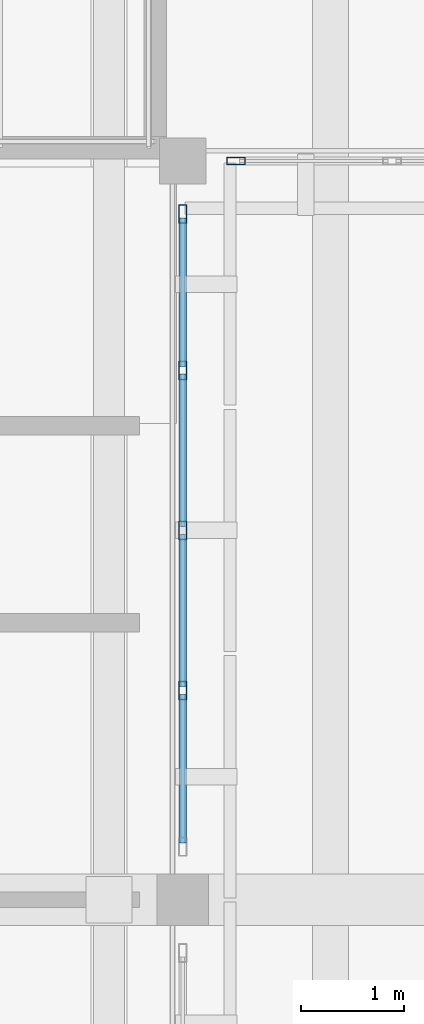
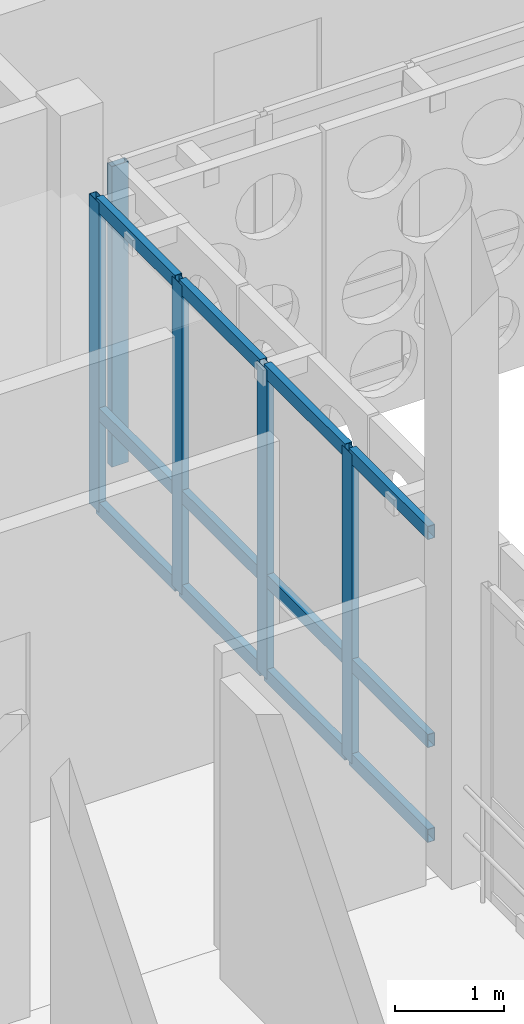
# One storey, part 25 of 171: 17 members, 2 elements without a shape of their own.
"""IFC4 building model written with IfcOpenShell, lengths in metres."""

import ifcopenshell
import ifcopenshell.guid

model = None  # the IFC model being written
_history = None  # IfcOwnerHistory: only IFC2X3 demands one
_inside = {}  # id of a spatial element -> (the spatial element, [elements in it])
_under = {}  # id of a project, library or spatial element -> (it, [spatial elements below it])
_declared = {}  # id of a project -> (the project, [libraries it declares])
_typed = {}  # id of a type object -> (the type object, [elements of that type])
_made_of = {}  # id of a material, layer set ... -> (it, [elements and type objects made of it])


def new_model(schema):
    """Start an empty IFC model of exactly this schema.

    Asked for "IFC4X3", IfcOpenShell would pick the latest addendum, in which some entities
    have other attributes; the version numbers below select the first issue.
    IFC2X3 requires an IfcOwnerHistory on every rooted entity: one is made here for all.
    """
    global model, _history
    if schema == "IFC4X3":
        model = ifcopenshell.file(schema_version=(4, 3, 0, 0))
    else:
        model = ifcopenshell.file(schema=schema)
    _inside.clear()
    _under.clear()
    _declared.clear()
    _typed.clear()
    _made_of.clear()
    _history = None
    if model.schema == "IFC2X3":
        org = make("IfcOrganization", Name="unknown")
        user = make(
            "IfcPersonAndOrganization",
            ThePerson=make("IfcPerson", FamilyName="unknown"),
            TheOrganization=org,
        )
        app = make(
            "IfcApplication",
            ApplicationDeveloper=org,
            Version="unknown",
            ApplicationFullName="unknown",
            ApplicationIdentifier="unknown",
        )
        _history = make(
            "IfcOwnerHistory",
            OwningUser=user,
            OwningApplication=app,
            ChangeAction="ADDED",
            CreationDate=0,
        )
    return model


def make(cls, **values):
    """One entity of the class cls with the attributes given. An attribute that is None is left unset."""
    return model.create_entity(
        cls, **{name: value for name, value in values.items() if value is not None}
    )


def rooted(cls, **values):
    """An entity with a GlobalId (a new one), such as an element, a storey or a relation."""
    return make(cls, GlobalId=ifcopenshell.guid.new(), OwnerHistory=_history, **values)


def si_unit(unit_type, name, prefix=None):
    """IfcSIUnit, for example si_unit("LENGTHUNIT", "METRE", prefix="MILLI")."""
    return make("IfcSIUnit", UnitType=unit_type, Prefix=prefix, Name=name)


def assignment(units):
    """IfcUnitAssignment: the units of a project."""
    return None if units is None else make("IfcUnitAssignment", Units=units)


def point(xyz):
    """IfcCartesianPoint."""
    return None if xyz is None else make("IfcCartesianPoint", Coordinates=xyz)


def direction(xyz):
    """IfcDirection."""
    return None if xyz is None else make("IfcDirection", DirectionRatios=xyz)


def frame(location, z_axis=None, x_axis=None):
    """IfcAxis2Placement3D, a coordinate frame: its origin and axes. An axis left out is left unset."""
    return make(
        "IfcAxis2Placement3D",
        Location=point(location),
        Axis=direction(z_axis),
        RefDirection=direction(x_axis),
    )


def frame_2d(location, x_axis=None):
    """IfcAxis2Placement2D, a coordinate frame in the plane: its origin and x axis."""
    return make(
        "IfcAxis2Placement2D", Location=point(location), RefDirection=direction(x_axis)
    )


def origin():
    """The frame at (0, 0, 0) with its axes left unset."""
    return frame((0.0, 0.0, 0.0))


def origin_2d():
    """The frame at (0, 0) in the plane with its x axis left unset."""
    return frame_2d((0.0, 0.0))


def place(relative_to, where):
    """IfcLocalPlacement: puts the frame where relative to a parent placement (None: the world)."""
    return make(
        "IfcLocalPlacement", PlacementRelTo=relative_to, RelativePlacement=where
    )


def context(
    kind, dimensions, precision=None, world=None, true_north=None, identifier=None
):
    """IfcGeometricRepresentationContext, for example the 3D "Model" context."""
    return make(
        "IfcGeometricRepresentationContext",
        ContextIdentifier=identifier,
        ContextType=kind,
        CoordinateSpaceDimension=dimensions,
        Precision=precision,
        WorldCoordinateSystem=world,
        TrueNorth=true_north,
    )


def subcontext(parent, identifier, kind, view, scale=None):
    """IfcGeometricRepresentationSubContext, for example "Body" below "Model"."""
    return make(
        "IfcGeometricRepresentationSubContext",
        ContextIdentifier=identifier,
        ContextType=kind,
        ParentContext=parent,
        TargetScale=scale,
        TargetView=view,
    )


def project(units=None, contexts=None):
    """IfcProject with its units and contexts."""
    return rooted(
        "IfcProject",
        Name="project",
        RepresentationContexts=contexts,
        UnitsInContext=assignment(units),
    )


def spatial(cls, under=None, at=None, **own):
    """A site, building, storey or space (cls), placed at a placement, below another one or the project."""
    s = rooted(cls, ObjectPlacement=at, **own)
    if under is not None:
        _under.setdefault(under.id(), (under, []))[1].append(s)
    return s


def profile(cls, at=None, kind="AREA", **sizes):
    """A parametric profile (cls). Its sizes go by their IFC names, for example OverallWidth=200.0."""
    return make(cls, ProfileType=kind, Position=at, **sizes)


def hollow_rectangle(**sizes):
    """IfcRectangleHollowProfileDef."""
    return profile("IfcRectangleHollowProfileDef", **sizes)


def extrude(swept, where, along, depth):
    """IfcExtrudedAreaSolid: the profile swept, set in the frame where, extruded along a direction by depth."""
    return make(
        "IfcExtrudedAreaSolid",
        SweptArea=swept,
        Position=where,
        ExtrudedDirection=direction(along),
        Depth=depth,
    )


def shape(context_of_items, identifier, shape_type, items):
    """IfcShapeRepresentation: the items that make up one representation, for example the "Body"."""
    return make(
        "IfcShapeRepresentation",
        ContextOfItems=context_of_items,
        RepresentationIdentifier=identifier,
        RepresentationType=shape_type,
        Items=items,
    )


def material(Name=None, Category=None):
    """IfcMaterial."""
    return make("IfcMaterial", Name=Name, Category=Category)


def material_profile(
    of_material, cross_section, Name=None, Category=None, Priority=None
):
    """IfcMaterialProfile: a cross section and its material."""
    return make(
        "IfcMaterialProfile",
        Name=Name,
        Material=of_material,
        Profile=cross_section,
        Priority=Priority,
        Category=Category,
    )


def profile_set(profiles, Name=None, composite=None):
    """IfcMaterialProfileSet."""
    return make(
        "IfcMaterialProfileSet",
        Name=Name,
        MaterialProfiles=profiles,
        CompositeProfile=composite,
    )


def made_of(thing, what):
    """Note that an element or type object is made of a material, layer set ...; save() writes the relation."""
    if what is not None:
        _made_of.setdefault(what.id(), (what, []))[1].append(thing)
    return thing


def type_object(cls, material=None, **own):
    """A type object (cls), such as IfcWallType, which elements share."""
    return made_of(rooted(cls, **own), material)


def element(
    cls,
    number,
    at=None,
    inside=None,
    cuts=None,
    type_object=None,
    material=None,
    context=None,
    identifier="Body",
    shape_type=None,
    held_by="IfcProductDefinitionShape",
    body=None,
    shapes=None,
    **own,
):
    """One element of the class cls, such as IfcWall. Its Tag is "e" and its number.

    at: its placement. inside: the storey or other place that contains it. cuts: it is an
    opening in that element (IfcRelVoidsElement). A single representation is given by context,
    identifier, shape_type and body (its items); several are given by shapes. held_by: the class
    of the entity that holds the representations. save() writes the other relations.
    """
    e = rooted(cls, Tag="e%d" % number, ObjectPlacement=at, **own)
    if body is not None:
        shapes = [shape(context, identifier, shape_type, body)]
    if shapes is not None:
        e.Representation = make(held_by, Representations=shapes)
    if inside is not None:
        _inside.setdefault(inside.id(), (inside, []))[1].append(e)
    if cuts is not None:
        rooted(
            "IfcRelVoidsElement", RelatingBuildingElement=cuts, RelatedOpeningElement=e
        )
    if type_object is not None:
        _typed.setdefault(type_object.id(), (type_object, []))[1].append(e)
    return made_of(e, material)


def aggregate(whole, parts):
    """IfcRelAggregates: a whole, such as a stair, and the parts it consists of."""
    return rooted("IfcRelAggregates", RelatingObject=whole, RelatedObjects=parts)


def save(model, path):
    """Write the relations noted so far, then the file.

    IfcRelAggregates (storeys below a building ...), IfcRelContainedInSpatialStructure (elements
    in a storey), IfcRelDefinesByType, IfcRelAssociatesMaterial and IfcRelDeclares: one each for
    every whole, place, type object, material and project.
    """
    for whole, parts in _under.values():
        aggregate(whole, parts)
    for where, things in _inside.values():
        rooted(
            "IfcRelContainedInSpatialStructure",
            RelatedElements=things,
            RelatingStructure=where,
        )
    for kind, things in _typed.values():
        rooted("IfcRelDefinesByType", RelatedObjects=things, RelatingType=kind)
    for what, things in _made_of.values():
        rooted("IfcRelAssociatesMaterial", RelatedObjects=things, RelatingMaterial=what)
    for by, libraries in _declared.values():
        rooted("IfcRelDeclares", RelatingContext=by, RelatedDefinitions=libraries)
    model.write(path)


model = new_model("IFC4")

# Units and contexts
model_context = context("Model", 3, precision=1e-05, world=origin(), true_north=direction((0.0, 1.0)))
body_context = subcontext(model_context, "Body", "Model", "MODEL_VIEW")
ifc_project = project(units=[si_unit("LENGTHUNIT", "METRE"), si_unit("AREAUNIT", "SQUARE_METRE"), si_unit("VOLUMEUNIT", "CUBIC_METRE"), si_unit("PLANEANGLEUNIT", "RADIAN"), si_unit("MASSUNIT", "GRAM", prefix="KILO")], contexts=[model_context])

# Site, building, storey
site_placement = place(None, origin())
site = spatial("IfcSite", under=ifc_project, at=site_placement, CompositionType="ELEMENT")
building_placement = place(site_placement, origin())
building = spatial("IfcBuilding", under=site, at=building_placement, Name="Aldebral Square Health Centre", CompositionType="ELEMENT")
storey_placement = place(building_placement, frame((0.0, 0.0, 4.5)))
storey = spatial("IfcBuildingStorey", under=building, at=storey_placement, Name="L01", CompositionType="ELEMENT", Elevation=4.5)

# Curtain wall, members
ifc_material_1 = material(Name="Aluminium and low-E solar glass", Category="aluminium")
curtain_wall_type = type_object("IfcCurtainWallType", Name="CW-HALL-SYS", PredefinedType="USERDEFINED", material=ifc_material_1)
curtain_wall_1_placement = place(storey_placement, origin())
curtain_wall_1 = element("IfcCurtainWall", 1, at=curtain_wall_1_placement, inside=storey, type_object=curtain_wall_type, Name="L01 V1 hall curtain wall L01-V1-09-12-E", ObjectType="HALL_CURTAIN_WALL", PredefinedType="USERDEFINED")
ifc_material_2 = material(Name="Anodised aluminium mullion", Category="aluminium")
ifc_material_profile_1 = material_profile(ifc_material_2, hollow_rectangle(XDim=0.074951171875, YDim=0.179931640625, WallThickness=0.00390625, at=origin_2d()), Name="CWM 75x180x4")
ifc_profile_set_1 = profile_set([ifc_material_profile_1], Name="Anodised aluminium mullion")
member_type_1 = type_object("IfcMemberType", Name="CWM-STD", PredefinedType="MULLION", material=ifc_profile_set_1)
member_1_placement = place(storey_placement, frame((72.0, 88.43994140625, 0.0), z_axis=(0.0, 0.0, 1.0), x_axis=(-1.0, 0.0, 0.0)))
member_1 = element("IfcMember", 2, at=member_1_placement, type_object=member_type_1, Name="CW2 mullion 2", PredefinedType="MULLION", context=body_context, shape_type="SweptSolid", body=[
    extrude(hollow_rectangle(XDim=0.074951171875, YDim=0.179931640625, WallThickness=0.00390625, at=origin_2d()), origin(), (0.0, 0.0, 1.0), 3.469970703125),
])
member_2_placement = place(storey_placement, frame((72.0, 90.0, 0.0), z_axis=(0.0, 0.0, 1.0), x_axis=(-1.0, 0.0, 0.0)))
member_2 = element("IfcMember", 3, at=member_2_placement, type_object=member_type_1, Name="CW2 mullion 3", PredefinedType="MULLION", context=body_context, shape_type="SweptSolid", body=[
    extrude(hollow_rectangle(XDim=0.074951171875, YDim=0.179931640625, WallThickness=0.00390625, at=origin_2d()), origin(), (0.0, 0.0, 1.0), 3.469970703125),
])
member_3_placement = place(storey_placement, frame((72.0, 91.56005859375, 0.0), z_axis=(0.0, 0.0, 1.0), x_axis=(-1.0, 0.0, 0.0)))
member_3 = element("IfcMember", 4, at=member_3_placement, type_object=member_type_1, Name="CW2 mullion 4", PredefinedType="MULLION", context=body_context, shape_type="SweptSolid", body=[
    extrude(hollow_rectangle(XDim=0.074951171875, YDim=0.179931640625, WallThickness=0.00390625, at=origin_2d()), origin(), (0.0, 0.0, 1.0), 3.469970703125),
])
member_4_placement = place(storey_placement, frame((72.0, 93.08251953125, 0.0), z_axis=(0.0, 0.0, 1.0), x_axis=(-1.0, 0.0, 0.0)))
member_4 = element("IfcMember", 5, at=member_4_placement, type_object=member_type_1, Name="CW2 mullion 5", PredefinedType="MULLION", context=body_context, shape_type="SweptSolid", body=[
    extrude(hollow_rectangle(XDim=0.074951171875, YDim=0.179931640625, WallThickness=0.00390625, at=origin_2d()), origin(), (0.0, 0.0, 1.0), 3.469970703125),
])

# Curtain wall, member
curtain_wall_2_placement = place(storey_placement, origin())
curtain_wall_2 = element("IfcCurtainWall", 6, at=curtain_wall_2_placement, inside=storey, type_object=curtain_wall_type, Name="L01 V1 hall curtain wall L01-V1-10-13-S", ObjectType="HALL_CURTAIN_WALL", PredefinedType="USERDEFINED")
member_5_placement = place(storey_placement, frame((72.517578125, 93.60009765625, 0.0), z_axis=(0.0, 0.0, 1.0), x_axis=(0.0, 1.0, 0.0)))
member_5 = element("IfcMember", 7, at=member_5_placement, type_object=member_type_1, Name="CW2 mullion 1", PredefinedType="MULLION", context=body_context, shape_type="SweptSolid", body=[
    extrude(hollow_rectangle(XDim=0.074951171875, YDim=0.179931640625, WallThickness=0.00390625, at=origin_2d()), origin(), (0.0, 0.0, 1.0), 3.3701171875),
])
aggregate(curtain_wall_2, [member_5])

# Member
ifc_material_3 = material(Name="Anodised aluminium transom", Category="aluminium")
ifc_material_profile_2 = material_profile(ifc_material_3, hollow_rectangle(XDim=0.074951171875, YDim=0.14990234375, WallThickness=0.00390625, at=origin_2d()), Name="CWT 75x150x4")
ifc_profile_set_2 = profile_set([ifc_material_profile_2], Name="Anodised aluminium transom")
member_type_2 = type_object("IfcMemberType", Name="CWT-STD", PredefinedType="USERDEFINED", material=ifc_profile_set_2)
member_6_placement = place(storey_placement, frame((72.0, 86.955078125, 0.03759765625), z_axis=(0.0, 1.0, 0.0), x_axis=(-1.0, 0.0, 0.0)))
member_6 = element("IfcMember", 8, at=member_6_placement, type_object=member_type_2, Name="CW2 transom 1.1", ObjectType="TRANSOM", PredefinedType="USERDEFINED", context=body_context, shape_type="SweptSolid", body=[
    extrude(hollow_rectangle(XDim=0.074951171875, YDim=0.14990234375, WallThickness=0.00390625, at=origin_2d()), origin(), (0.0, 0.0, 1.0), 1.447509765625),
])

member_7_placement = place(storey_placement, frame((72.0, 86.955078125, 1.10009765625), z_axis=(0.0, 1.0, 0.0), x_axis=(-1.0, 0.0, 0.0)))
member_7 = element("IfcMember", 9, at=member_7_placement, type_object=member_type_2, Name="CW2 transom 1.2", ObjectType="TRANSOM", PredefinedType="USERDEFINED", context=body_context, shape_type="SweptSolid", body=[
    extrude(hollow_rectangle(XDim=0.074951171875, YDim=0.14990234375, WallThickness=0.00390625, at=origin_2d()), origin(), (0.0, 0.0, 1.0), 1.447509765625),
])

member_8_placement = place(storey_placement, frame((72.0, 86.955078125, 3.4326171875), z_axis=(0.0, 1.0, 0.0), x_axis=(-1.0, 0.0, 0.0)))
member_8 = element("IfcMember", 10, at=member_8_placement, type_object=member_type_2, Name="CW2 transom 1.3", ObjectType="TRANSOM", PredefinedType="USERDEFINED", context=body_context, shape_type="SweptSolid", body=[
    extrude(hollow_rectangle(XDim=0.074951171875, YDim=0.14990234375, WallThickness=0.00390625, at=origin_2d()), origin(), (0.0, 0.0, 1.0), 1.447509765625),
])

member_9_placement = place(storey_placement, frame((72.0, 88.4775390625, 0.03759765625), z_axis=(0.0, 1.0, 0.0), x_axis=(-1.0, 0.0, 0.0)))
member_9 = element("IfcMember", 11, at=member_9_placement, type_object=member_type_2, Name="CW2 transom 2.1", ObjectType="TRANSOM", PredefinedType="USERDEFINED", context=body_context, shape_type="SweptSolid", body=[
    extrude(hollow_rectangle(XDim=0.074951171875, YDim=0.14990234375, WallThickness=0.00390625, at=origin_2d()), origin(), (0.0, 0.0, 1.0), 1.48486328125),
])

member_10_placement = place(storey_placement, frame((72.0, 88.4775390625, 1.10009765625), z_axis=(0.0, 1.0, 0.0), x_axis=(-1.0, 0.0, 0.0)))
member_10 = element("IfcMember", 12, at=member_10_placement, type_object=member_type_2, Name="CW2 transom 2.2", ObjectType="TRANSOM", PredefinedType="USERDEFINED", context=body_context, shape_type="SweptSolid", body=[
    extrude(hollow_rectangle(XDim=0.074951171875, YDim=0.14990234375, WallThickness=0.00390625, at=origin_2d()), origin(), (0.0, 0.0, 1.0), 1.48486328125),
])

member_11_placement = place(storey_placement, frame((72.0, 88.4775390625, 3.4326171875), z_axis=(0.0, 1.0, 0.0), x_axis=(-1.0, 0.0, 0.0)))
member_11 = element("IfcMember", 13, at=member_11_placement, type_object=member_type_2, Name="CW2 transom 2.3", ObjectType="TRANSOM", PredefinedType="USERDEFINED", context=body_context, shape_type="SweptSolid", body=[
    extrude(hollow_rectangle(XDim=0.074951171875, YDim=0.14990234375, WallThickness=0.00390625, at=origin_2d()), origin(), (0.0, 0.0, 1.0), 1.48486328125),
])

member_12_placement = place(storey_placement, frame((72.0, 90.03759765625, 0.03759765625), z_axis=(0.0, 1.0, 0.0), x_axis=(-1.0, 0.0, 0.0)))
member_12 = element("IfcMember", 14, at=member_12_placement, type_object=member_type_2, Name="CW2 transom 3.1", ObjectType="TRANSOM", PredefinedType="USERDEFINED", context=body_context, shape_type="SweptSolid", body=[
    extrude(hollow_rectangle(XDim=0.074951171875, YDim=0.14990234375, WallThickness=0.00390625, at=origin_2d()), origin(), (0.0, 0.0, 1.0), 1.48486328125),
])

member_13_placement = place(storey_placement, frame((72.0, 90.03759765625, 1.10009765625), z_axis=(0.0, 1.0, 0.0), x_axis=(-1.0, 0.0, 0.0)))
member_13 = element("IfcMember", 15, at=member_13_placement, type_object=member_type_2, Name="CW2 transom 3.2", ObjectType="TRANSOM", PredefinedType="USERDEFINED", context=body_context, shape_type="SweptSolid", body=[
    extrude(hollow_rectangle(XDim=0.074951171875, YDim=0.14990234375, WallThickness=0.00390625, at=origin_2d()), origin(), (0.0, 0.0, 1.0), 1.48486328125),
])

member_14_placement = place(storey_placement, frame((72.0, 90.03759765625, 3.4326171875), z_axis=(0.0, 1.0, 0.0), x_axis=(-1.0, 0.0, 0.0)))
member_14 = element("IfcMember", 16, at=member_14_placement, type_object=member_type_2, Name="CW2 transom 3.3", ObjectType="TRANSOM", PredefinedType="USERDEFINED", context=body_context, shape_type="SweptSolid", body=[
    extrude(hollow_rectangle(XDim=0.074951171875, YDim=0.14990234375, WallThickness=0.00390625, at=origin_2d()), origin(), (0.0, 0.0, 1.0), 1.48486328125),
])

member_15_placement = place(storey_placement, frame((72.0, 91.597412109375, 0.03759765625), z_axis=(0.0, 1.0, 0.0), x_axis=(-1.0, 0.0, 0.0)))
member_15 = element("IfcMember", 17, at=member_15_placement, type_object=member_type_2, Name="CW2 transom 4.1", ObjectType="TRANSOM", PredefinedType="USERDEFINED", context=body_context, shape_type="SweptSolid", body=[
    extrude(hollow_rectangle(XDim=0.074951171875, YDim=0.14990234375, WallThickness=0.00390625, at=origin_2d()), origin(), (0.0, 0.0, 1.0), 1.447509765625),
])

member_16_placement = place(storey_placement, frame((72.0, 91.597412109375, 1.10009765625), z_axis=(0.0, 1.0, 0.0), x_axis=(-1.0, 0.0, 0.0)))
member_16 = element("IfcMember", 18, at=member_16_placement, type_object=member_type_2, Name="CW2 transom 4.2", ObjectType="TRANSOM", PredefinedType="USERDEFINED", context=body_context, shape_type="SweptSolid", body=[
    extrude(hollow_rectangle(XDim=0.074951171875, YDim=0.14990234375, WallThickness=0.00390625, at=origin_2d()), origin(), (0.0, 0.0, 1.0), 1.447509765625),
])

member_17_placement = place(storey_placement, frame((72.0, 91.597412109375, 3.4326171875), z_axis=(0.0, 1.0, 0.0), x_axis=(-1.0, 0.0, 0.0)))
member_17 = element("IfcMember", 19, at=member_17_placement, type_object=member_type_2, Name="CW2 transom 4.3", ObjectType="TRANSOM", PredefinedType="USERDEFINED", context=body_context, shape_type="SweptSolid", body=[
    extrude(hollow_rectangle(XDim=0.074951171875, YDim=0.14990234375, WallThickness=0.00390625, at=origin_2d()), origin(), (0.0, 0.0, 1.0), 1.447509765625),
])

aggregate(curtain_wall_1, [member_1, member_2, member_3, member_4, member_6, member_7, member_8, member_9, member_10, member_11, member_12, member_13, member_14, member_15, member_16, member_17])

save(model, "model.ifc")
